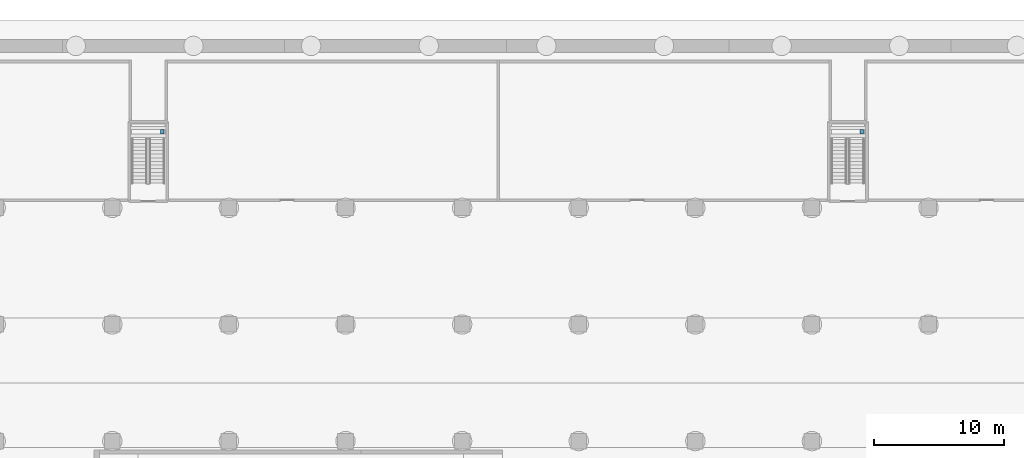
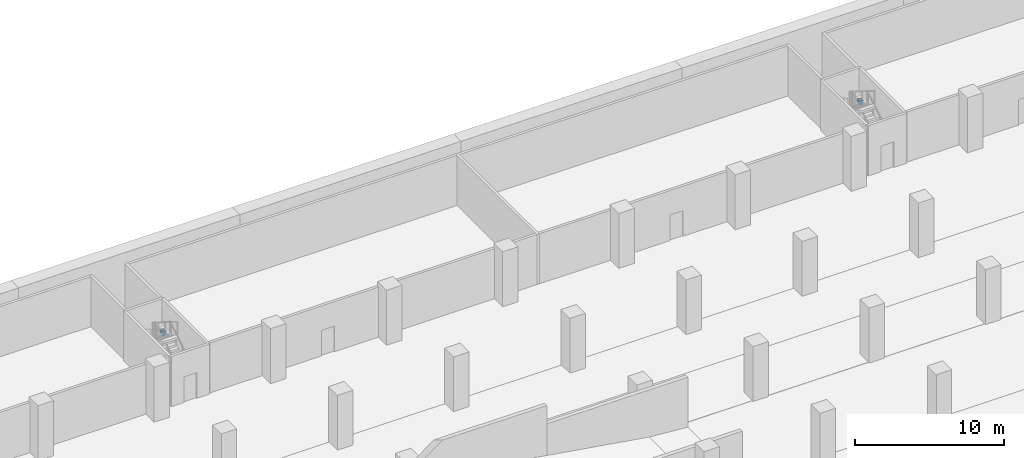
# One storey, part 9 of 39: 2 beams.
"""IFC4 building model written with IfcOpenShell, lengths in metres."""

import ifcopenshell
import ifcopenshell.guid

model = None  # the IFC model being written
_history = None  # IfcOwnerHistory: only IFC2X3 demands one
_inside = {}  # id of a spatial element -> (the spatial element, [elements in it])
_under = {}  # id of a project, library or spatial element -> (it, [spatial elements below it])
_declared = {}  # id of a project -> (the project, [libraries it declares])
_typed = {}  # id of a type object -> (the type object, [elements of that type])
_made_of = {}  # id of a material, layer set ... -> (it, [elements and type objects made of it])


def new_model(schema):
    """Start an empty IFC model of exactly this schema.

    Asked for "IFC4X3", IfcOpenShell would pick the latest addendum, in which some entities
    have other attributes; the version numbers below select the first issue.
    IFC2X3 requires an IfcOwnerHistory on every rooted entity: one is made here for all.
    """
    global model, _history
    if schema == "IFC4X3":
        model = ifcopenshell.file(schema_version=(4, 3, 0, 0))
    else:
        model = ifcopenshell.file(schema=schema)
    _inside.clear()
    _under.clear()
    _declared.clear()
    _typed.clear()
    _made_of.clear()
    _history = None
    if model.schema == "IFC2X3":
        org = make("IfcOrganization", Name="unknown")
        user = make(
            "IfcPersonAndOrganization",
            ThePerson=make("IfcPerson", FamilyName="unknown"),
            TheOrganization=org,
        )
        app = make(
            "IfcApplication",
            ApplicationDeveloper=org,
            Version="unknown",
            ApplicationFullName="unknown",
            ApplicationIdentifier="unknown",
        )
        _history = make(
            "IfcOwnerHistory",
            OwningUser=user,
            OwningApplication=app,
            ChangeAction="ADDED",
            CreationDate=0,
        )
    return model


def make(cls, **values):
    """One entity of the class cls with the attributes given. An attribute that is None is left unset."""
    return model.create_entity(
        cls, **{name: value for name, value in values.items() if value is not None}
    )


def rooted(cls, **values):
    """An entity with a GlobalId (a new one), such as an element, a storey or a relation."""
    return make(cls, GlobalId=ifcopenshell.guid.new(), OwnerHistory=_history, **values)


def si_unit(unit_type, name, prefix=None):
    """IfcSIUnit, for example si_unit("LENGTHUNIT", "METRE", prefix="MILLI")."""
    return make("IfcSIUnit", UnitType=unit_type, Prefix=prefix, Name=name)


def assignment(units):
    """IfcUnitAssignment: the units of a project."""
    return None if units is None else make("IfcUnitAssignment", Units=units)


def point(xyz):
    """IfcCartesianPoint."""
    return None if xyz is None else make("IfcCartesianPoint", Coordinates=xyz)


def direction(xyz):
    """IfcDirection."""
    return None if xyz is None else make("IfcDirection", DirectionRatios=xyz)


def frame(location, z_axis=None, x_axis=None):
    """IfcAxis2Placement3D, a coordinate frame: its origin and axes. An axis left out is left unset."""
    return make(
        "IfcAxis2Placement3D",
        Location=point(location),
        Axis=direction(z_axis),
        RefDirection=direction(x_axis),
    )


def frame_2d(location, x_axis=None):
    """IfcAxis2Placement2D, a coordinate frame in the plane: its origin and x axis."""
    return make(
        "IfcAxis2Placement2D", Location=point(location), RefDirection=direction(x_axis)
    )


def origin():
    """The frame at (0, 0, 0) with its axes left unset."""
    return frame((0.0, 0.0, 0.0))


def origin_2d():
    """The frame at (0, 0) in the plane with its x axis left unset."""
    return frame_2d((0.0, 0.0))


def place(relative_to, where):
    """IfcLocalPlacement: puts the frame where relative to a parent placement (None: the world)."""
    return make(
        "IfcLocalPlacement", PlacementRelTo=relative_to, RelativePlacement=where
    )


def context(
    kind, dimensions, precision=None, world=None, true_north=None, identifier=None
):
    """IfcGeometricRepresentationContext, for example the 3D "Model" context."""
    return make(
        "IfcGeometricRepresentationContext",
        ContextIdentifier=identifier,
        ContextType=kind,
        CoordinateSpaceDimension=dimensions,
        Precision=precision,
        WorldCoordinateSystem=world,
        TrueNorth=true_north,
    )


def subcontext(parent, identifier, kind, view, scale=None):
    """IfcGeometricRepresentationSubContext, for example "Body" below "Model"."""
    return make(
        "IfcGeometricRepresentationSubContext",
        ContextIdentifier=identifier,
        ContextType=kind,
        ParentContext=parent,
        TargetScale=scale,
        TargetView=view,
    )


def project(units=None, contexts=None):
    """IfcProject with its units and contexts."""
    return rooted(
        "IfcProject",
        Name="project",
        RepresentationContexts=contexts,
        UnitsInContext=assignment(units),
    )


def spatial(cls, under=None, at=None, **own):
    """A site, building, storey or space (cls), placed at a placement, below another one or the project."""
    s = rooted(cls, ObjectPlacement=at, **own)
    if under is not None:
        _under.setdefault(under.id(), (under, []))[1].append(s)
    return s


def profile(cls, at=None, kind="AREA", **sizes):
    """A parametric profile (cls). Its sizes go by their IFC names, for example OverallWidth=200.0."""
    return make(cls, ProfileType=kind, Position=at, **sizes)


def rectangle(**sizes):
    """IfcRectangleProfileDef."""
    return profile("IfcRectangleProfileDef", **sizes)


def extrude(swept, where, along, depth):
    """IfcExtrudedAreaSolid: the profile swept, set in the frame where, extruded along a direction by depth."""
    return make(
        "IfcExtrudedAreaSolid",
        SweptArea=swept,
        Position=where,
        ExtrudedDirection=direction(along),
        Depth=depth,
    )


def shape(context_of_items, identifier, shape_type, items):
    """IfcShapeRepresentation: the items that make up one representation, for example the "Body"."""
    return make(
        "IfcShapeRepresentation",
        ContextOfItems=context_of_items,
        RepresentationIdentifier=identifier,
        RepresentationType=shape_type,
        Items=items,
    )


def material(Name=None, Category=None):
    """IfcMaterial."""
    return make("IfcMaterial", Name=Name, Category=Category)


def material_profile(
    of_material, cross_section, Name=None, Category=None, Priority=None
):
    """IfcMaterialProfile: a cross section and its material."""
    return make(
        "IfcMaterialProfile",
        Name=Name,
        Material=of_material,
        Profile=cross_section,
        Priority=Priority,
        Category=Category,
    )


def profile_set(profiles, Name=None, composite=None):
    """IfcMaterialProfileSet."""
    return make(
        "IfcMaterialProfileSet",
        Name=Name,
        MaterialProfiles=profiles,
        CompositeProfile=composite,
    )


def made_of(thing, what):
    """Note that an element or type object is made of a material, layer set ...; save() writes the relation."""
    if what is not None:
        _made_of.setdefault(what.id(), (what, []))[1].append(thing)
    return thing


def type_object(cls, material=None, **own):
    """A type object (cls), such as IfcWallType, which elements share."""
    return made_of(rooted(cls, **own), material)


def element(
    cls,
    number,
    at=None,
    inside=None,
    cuts=None,
    type_object=None,
    material=None,
    context=None,
    identifier="Body",
    shape_type=None,
    held_by="IfcProductDefinitionShape",
    body=None,
    shapes=None,
    **own,
):
    """One element of the class cls, such as IfcWall. Its Tag is "e" and its number.

    at: its placement. inside: the storey or other place that contains it. cuts: it is an
    opening in that element (IfcRelVoidsElement). A single representation is given by context,
    identifier, shape_type and body (its items); several are given by shapes. held_by: the class
    of the entity that holds the representations. save() writes the other relations.
    """
    e = rooted(cls, Tag="e%d" % number, ObjectPlacement=at, **own)
    if body is not None:
        shapes = [shape(context, identifier, shape_type, body)]
    if shapes is not None:
        e.Representation = make(held_by, Representations=shapes)
    if inside is not None:
        _inside.setdefault(inside.id(), (inside, []))[1].append(e)
    if cuts is not None:
        rooted(
            "IfcRelVoidsElement", RelatingBuildingElement=cuts, RelatedOpeningElement=e
        )
    if type_object is not None:
        _typed.setdefault(type_object.id(), (type_object, []))[1].append(e)
    return made_of(e, material)


def aggregate(whole, parts):
    """IfcRelAggregates: a whole, such as a stair, and the parts it consists of."""
    return rooted("IfcRelAggregates", RelatingObject=whole, RelatedObjects=parts)


def save(model, path):
    """Write the relations noted so far, then the file.

    IfcRelAggregates (storeys below a building ...), IfcRelContainedInSpatialStructure (elements
    in a storey), IfcRelDefinesByType, IfcRelAssociatesMaterial and IfcRelDeclares: one each for
    every whole, place, type object, material and project.
    """
    for whole, parts in _under.values():
        aggregate(whole, parts)
    for where, things in _inside.values():
        rooted(
            "IfcRelContainedInSpatialStructure",
            RelatedElements=things,
            RelatingStructure=where,
        )
    for kind, things in _typed.values():
        rooted("IfcRelDefinesByType", RelatedObjects=things, RelatingType=kind)
    for what, things in _made_of.values():
        rooted("IfcRelAssociatesMaterial", RelatedObjects=things, RelatingMaterial=what)
    for by, libraries in _declared.values():
        rooted("IfcRelDeclares", RelatingContext=by, RelatedDefinitions=libraries)
    model.write(path)


model = new_model("IFC4")

# Units and contexts
model_context = context("Model", 3, precision=1e-05, world=origin(), true_north=direction((0.0, 1.0)))
body_context = subcontext(model_context, "Body", "Model", "MODEL_VIEW")
ifc_project = project(units=[si_unit("LENGTHUNIT", "METRE"), si_unit("AREAUNIT", "SQUARE_METRE"), si_unit("VOLUMEUNIT", "CUBIC_METRE"), si_unit("PLANEANGLEUNIT", "RADIAN"), si_unit("MASSUNIT", "GRAM", prefix="KILO")], contexts=[model_context])

# Site, building, storey
site_placement = place(None, origin())
site = spatial("IfcSite", under=ifc_project, at=site_placement, CompositionType="ELEMENT")
building_placement = place(site_placement, origin())
building = spatial("IfcBuilding", under=site, at=building_placement, Name="Ogive Gate Towers", CompositionType="ELEMENT")
storey_placement = place(building_placement, frame((0.0, 0.0, -9.0)))
storey = spatial("IfcBuildingStorey", under=building, at=storey_placement, Name="B2", CompositionType="ELEMENT", Elevation=-9.0)

# Beams
ifc_material = material(Name="Concrete C40/50", Category="concrete")
ifc_material_profile = material_profile(ifc_material, rectangle(XDim=0.25, YDim=0.300048828125, at=origin_2d()), Name="RC 250x300")
ifc_profile_set = profile_set([ifc_material_profile], Name="Concrete C40/50")
beam_type = type_object("IfcBeamType", Name="Landing bearer RC 250x300 (stair)", PredefinedType="BEAM", material=ifc_profile_set)
for number, where, z_axis, x_axis, name in (
    (1, (-95.14990234375, 68.68505859375, 1.89990234375), (0.0, 1.0, 0.0), (-1.0, 0.0, 0.0), "CS1 B2 landing 1 bearer 3"),
    (2, (-41.14990234375, 68.68505859375, 1.89990234375), (0.0, 1.0, 0.0), (-1.0, 0.0, 0.0), "CS2 B2 landing 1 bearer 3"),
):
    element("IfcBeam", number, at=place(storey_placement, frame(where, z_axis=z_axis, x_axis=x_axis)), inside=storey, type_object=beam_type, Name=name, PredefinedType="BEAM", context=body_context, shape_type="SweptSolid", body=[
        extrude(rectangle(XDim=0.25, YDim=0.300048828125, at=origin_2d()), origin(), (0.0, 0.0, 1.0), 0.349853515625),
    ])

save(model, "model.ifc")
